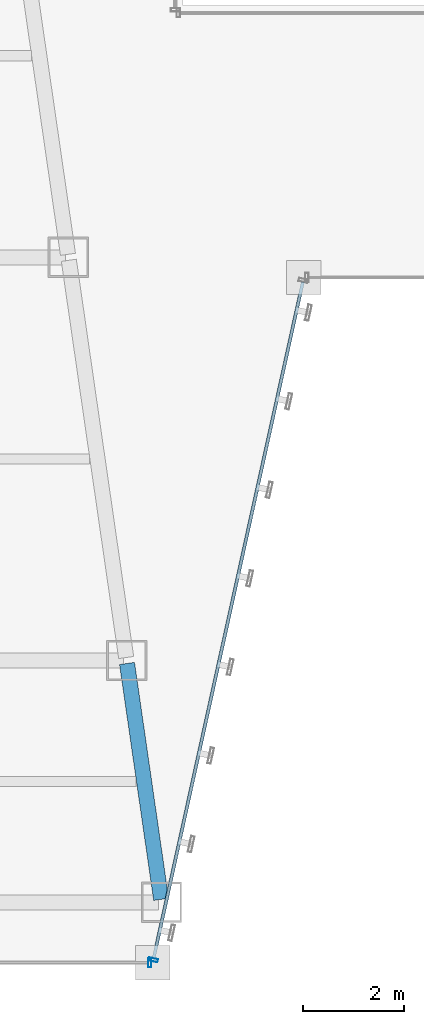
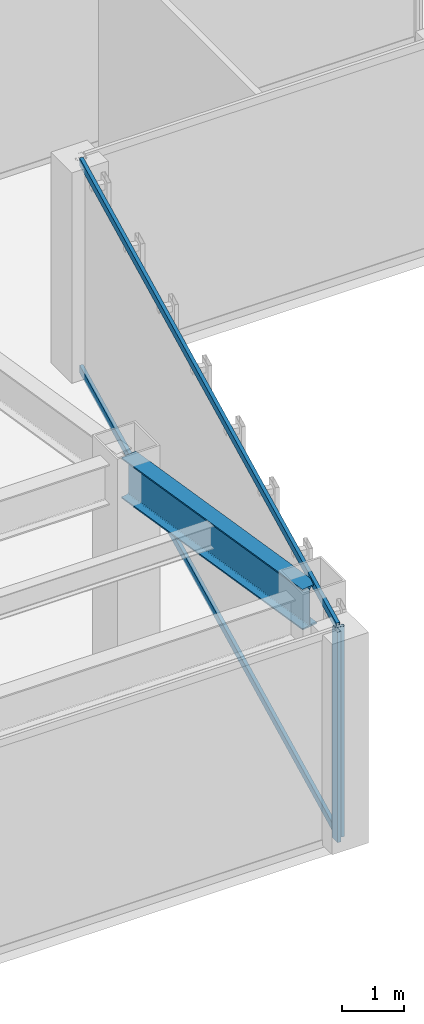
# One storey, part 7 of 47: 4 members, 1 beam, 2 elements without a shape of their own.
"""IFC4 building model written with IfcOpenShell, lengths in metres."""

from ifc_helpers import new_model, si_unit, direction, frame, origin, origin_2d, place, context, subcontext, project, spatial, hollow_rectangle, i_section, extrude, material, material_profile, profile_set, type_object, element, aggregate, save


model = new_model("IFC4")

# Units and contexts
model_context = context("Model", 3, precision=1e-05, world=origin(), true_north=direction((0.0, 1.0)))
body_context = subcontext(model_context, "Body", "Model", "MODEL_VIEW")
ifc_project = project(units=[si_unit("LENGTHUNIT", "METRE"), si_unit("AREAUNIT", "SQUARE_METRE"), si_unit("VOLUMEUNIT", "CUBIC_METRE"), si_unit("PLANEANGLEUNIT", "RADIAN"), si_unit("MASSUNIT", "GRAM", prefix="KILO")], contexts=[model_context])

# Site, building, storey
site_placement = place(None, origin())
site = spatial("IfcSite", under=ifc_project, at=site_placement, CompositionType="ELEMENT")
building_placement = place(site_placement, origin())
building = spatial("IfcBuilding", under=site, at=building_placement, Name="Saevonmaru Cultural Tower", CompositionType="ELEMENT")
storey_placement = place(building_placement, frame((0.0, 0.0, 56.0)))
storey = spatial("IfcBuildingStorey", under=building, at=storey_placement, Name="L11", CompositionType="ELEMENT", Elevation=56.0)

# Beam
ifc_material_1 = material(Name="Steel SM420", Category="steel")
ifc_material_profile_1 = material_profile(ifc_material_1, i_section(OverallWidth=0.300048828125, OverallDepth=0.800048828125, WebThickness=0.013916015625, FlangeThickness=0.02587890625, FilletRadius=0.028076171875, at=origin_2d()), Name="H-800x300x14x26")
ifc_profile_set_1 = profile_set([ifc_material_profile_1], Name="Steel SM420")
beam_type = type_object("IfcBeamType", Name="BM-G-H800", PredefinedType="BEAM", material=ifc_profile_set_1)
beam_placement = place(storey_placement, frame((23.768310546875, 3.259521484375, 3.75), z_axis=(-0.143083234893, 0.989710658674, 0.0), x_axis=(-0.989710658674, -0.143083234893, 0.0)))
element("IfcBeam", 1, at=beam_placement, inside=storey, type_object=beam_type, Name="L11 West Atrium Girder 1", PredefinedType="BEAM", context=body_context, shape_type="SweptSolid", body=[
    extrude(i_section(OverallWidth=0.300048828125, OverallDepth=0.800048828125, WebThickness=0.013916015625, FlangeThickness=0.02587890625, FilletRadius=0.028076171875, at=origin_2d()), origin(), (0.0, 0.0, 1.0), 4.729736328125),
])

# Curtain wall, member
ifc_material_2 = material(Name="Satin Bronze Anodised Aluminium", Category="aluminium")
curtain_wall_type = type_object("IfcCurtainWallType", Name="CW-TYP-A", PredefinedType="NOTDEFINED", material=ifc_material_2)
curtain_wall_1_placement = place(storey_placement, origin())
curtain_wall_1 = element("IfcCurtainWall", 2, at=curtain_wall_1_placement, inside=storey, type_object=curtain_wall_type, Name="L11 Unitised Curtain Wall E2", PredefinedType="NOTDEFINED")
ifc_material_profile_2 = material_profile(ifc_material_2, hollow_rectangle(XDim=0.06494140625, YDim=0.179931640625, WallThickness=0.00390625, at=origin_2d()), Name="ALU-MULL-180x65x4")
ifc_profile_set_2 = profile_set([ifc_material_profile_2], Name="Satin Bronze Anodised Aluminium")
member_type_1 = type_object("IfcMemberType", Name="ML-CW-180x65", PredefinedType="MULLION", material=ifc_profile_set_2)
member_1_placement = place(storey_placement, frame((23.5400390625, 2.0, 0.0), z_axis=(0.0, 0.0, 1.0), x_axis=(1.0, 0.0, 0.0)))
member_1 = element("IfcMember", 3, at=member_1_placement, type_object=member_type_1, Name="CW-TW-L11-E2 mullion 2", PredefinedType="MULLION", context=body_context, shape_type="SweptSolid", body=[
    extrude(hollow_rectangle(XDim=0.06494140625, YDim=0.179931640625, WallThickness=0.00390625, at=origin_2d()), origin(), (0.0, 0.0, 1.0), 4.14990234375),
])
aggregate(curtain_wall_1, [member_1])

# Curtain wall, members
curtain_wall_2_placement = place(storey_placement, origin())
curtain_wall_2 = element("IfcCurtainWall", 4, at=curtain_wall_2_placement, inside=storey, type_object=curtain_wall_type, Name="L11 Unitised Curtain Wall E3", PredefinedType="NOTDEFINED")
member_2_placement = place(storey_placement, frame((23.61279296875, 2.05859375, 0.0), z_axis=(0.0, 0.0, 1.0), x_axis=(0.215413319953, 0.976522965212, 0.0)))
member_2 = element("IfcMember", 5, at=member_2_placement, type_object=member_type_1, Name="CW-TW-L11-E3 mullion 1", PredefinedType="MULLION", context=body_context, shape_type="SweptSolid", body=[
    extrude(hollow_rectangle(XDim=0.06494140625, YDim=0.179931640625, WallThickness=0.00390625, at=origin_2d()), origin(), (0.0, 0.0, 1.0), 4.14990234375),
])
ifc_material_profile_3 = material_profile(ifc_material_2, hollow_rectangle(XDim=0.06494140625, YDim=0.14990234375, WallThickness=0.00390625, at=origin_2d()), Name="ALU-TRAN-150x65x4")
ifc_profile_set_3 = profile_set([ifc_material_profile_3], Name="Satin Bronze Anodised Aluminium")
member_type_2 = type_object("IfcMemberType", Name="TR-CW-150x65", PredefinedType="USERDEFINED", material=ifc_profile_set_3)
member_3_placement = place(storey_placement, frame((23.619873046875, 2.09033203125, 0.032470703125), z_axis=(0.21541214732, 0.976523223885, 0.0), x_axis=(-0.976523223885, 0.21541214732, 0.0)))
member_3 = element("IfcMember", 6, at=member_3_placement, type_object=member_type_2, Name="CW-TW-L11-E3 transom 1.1", ObjectType="TRANSOM", PredefinedType="USERDEFINED", context=body_context, shape_type="SweptSolid", body=[
    extrude(hollow_rectangle(XDim=0.06494140625, YDim=0.14990234375, WallThickness=0.00390625, at=origin_2d()), origin(), (0.0, 0.0, 1.0), 13.741943359375),
])
member_4_placement = place(storey_placement, frame((23.619873046875, 2.09033203125, 4.117431640625), z_axis=(0.21541214732, 0.976523223885, 0.0), x_axis=(-0.976523223885, 0.21541214732, 0.0)))
member_4 = element("IfcMember", 7, at=member_4_placement, type_object=member_type_2, Name="CW-TW-L11-E3 transom 1.2", ObjectType="TRANSOM", PredefinedType="USERDEFINED", context=body_context, shape_type="SweptSolid", body=[
    extrude(hollow_rectangle(XDim=0.06494140625, YDim=0.14990234375, WallThickness=0.00390625, at=origin_2d()), origin(), (0.0, 0.0, 1.0), 13.741943359375),
])
aggregate(curtain_wall_2, [member_2, member_3, member_4])

save(model, "model.ifc")
